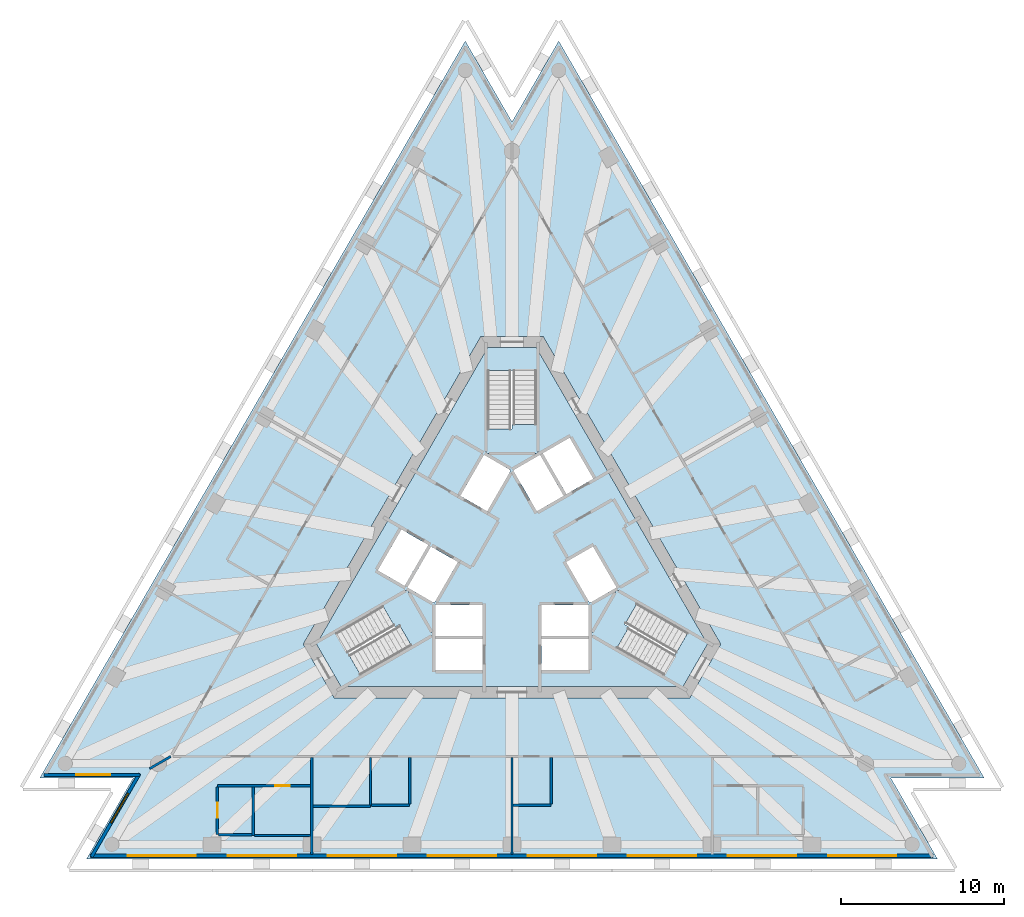
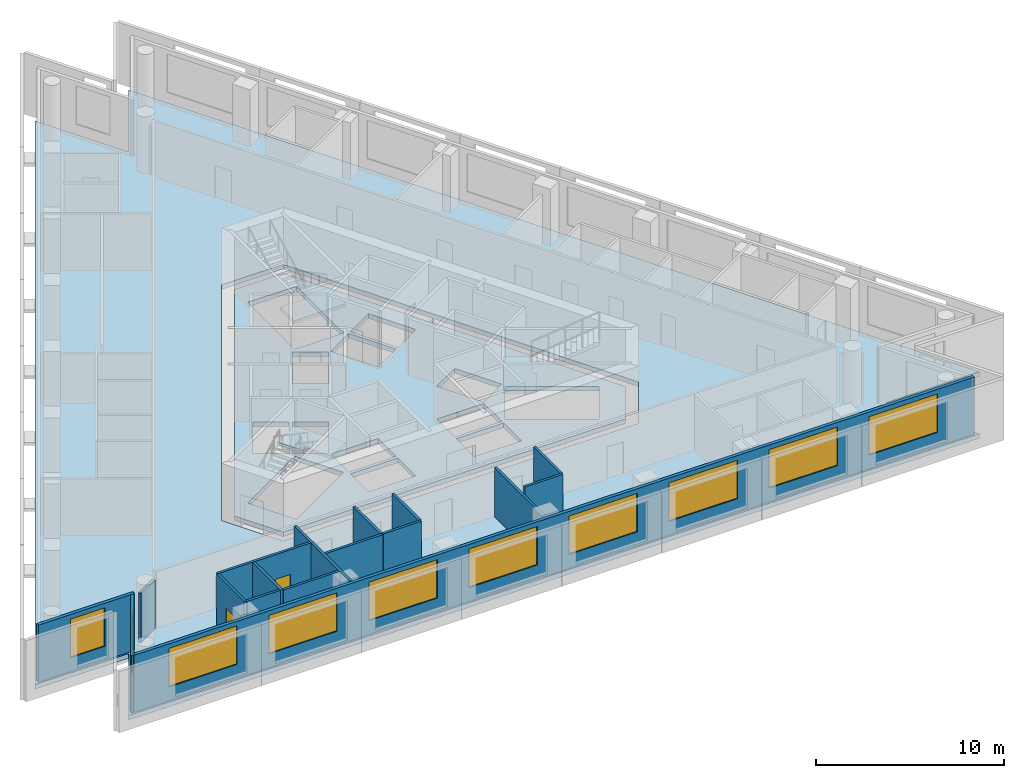
# One storey, part 2 of 9: 17 walls, 10 windows, 5 slabs, 2 doors, 12 openings, 3 elements without a shape of their own.
"""IFC4 building model written with IfcOpenShell, lengths in metres."""

import ifcopenshell
import ifcopenshell.guid

model = None  # the IFC model being written
_history = None  # IfcOwnerHistory: only IFC2X3 demands one
_inside = {}  # id of a spatial element -> (the spatial element, [elements in it])
_under = {}  # id of a project, library or spatial element -> (it, [spatial elements below it])
_declared = {}  # id of a project -> (the project, [libraries it declares])
_typed = {}  # id of a type object -> (the type object, [elements of that type])
_made_of = {}  # id of a material, layer set ... -> (it, [elements and type objects made of it])


def new_model(schema):
    """Start an empty IFC model of exactly this schema.

    Asked for "IFC4X3", IfcOpenShell would pick the latest addendum, in which some entities
    have other attributes; the version numbers below select the first issue.
    IFC2X3 requires an IfcOwnerHistory on every rooted entity: one is made here for all.
    """
    global model, _history
    if schema == "IFC4X3":
        model = ifcopenshell.file(schema_version=(4, 3, 0, 0))
    else:
        model = ifcopenshell.file(schema=schema)
    _inside.clear()
    _under.clear()
    _declared.clear()
    _typed.clear()
    _made_of.clear()
    _history = None
    if model.schema == "IFC2X3":
        org = make("IfcOrganization", Name="unknown")
        user = make(
            "IfcPersonAndOrganization",
            ThePerson=make("IfcPerson", FamilyName="unknown"),
            TheOrganization=org,
        )
        app = make(
            "IfcApplication",
            ApplicationDeveloper=org,
            Version="unknown",
            ApplicationFullName="unknown",
            ApplicationIdentifier="unknown",
        )
        _history = make(
            "IfcOwnerHistory",
            OwningUser=user,
            OwningApplication=app,
            ChangeAction="ADDED",
            CreationDate=0,
        )
    return model


def make(cls, **values):
    """One entity of the class cls with the attributes given. An attribute that is None is left unset."""
    return model.create_entity(
        cls, **{name: value for name, value in values.items() if value is not None}
    )


def rooted(cls, **values):
    """An entity with a GlobalId (a new one), such as an element, a storey or a relation."""
    return make(cls, GlobalId=ifcopenshell.guid.new(), OwnerHistory=_history, **values)


def si_unit(unit_type, name, prefix=None):
    """IfcSIUnit, for example si_unit("LENGTHUNIT", "METRE", prefix="MILLI")."""
    return make("IfcSIUnit", UnitType=unit_type, Prefix=prefix, Name=name)


def assignment(units):
    """IfcUnitAssignment: the units of a project."""
    return None if units is None else make("IfcUnitAssignment", Units=units)


def point(xyz):
    """IfcCartesianPoint."""
    return None if xyz is None else make("IfcCartesianPoint", Coordinates=xyz)


def direction(xyz):
    """IfcDirection."""
    return None if xyz is None else make("IfcDirection", DirectionRatios=xyz)


def frame(location, z_axis=None, x_axis=None):
    """IfcAxis2Placement3D, a coordinate frame: its origin and axes. An axis left out is left unset."""
    return make(
        "IfcAxis2Placement3D",
        Location=point(location),
        Axis=direction(z_axis),
        RefDirection=direction(x_axis),
    )


def frame_2d(location, x_axis=None):
    """IfcAxis2Placement2D, a coordinate frame in the plane: its origin and x axis."""
    return make(
        "IfcAxis2Placement2D", Location=point(location), RefDirection=direction(x_axis)
    )


def origin():
    """The frame at (0, 0, 0) with its axes left unset."""
    return frame((0.0, 0.0, 0.0))


def place(relative_to, where):
    """IfcLocalPlacement: puts the frame where relative to a parent placement (None: the world)."""
    return make(
        "IfcLocalPlacement", PlacementRelTo=relative_to, RelativePlacement=where
    )


def context(
    kind, dimensions, precision=None, world=None, true_north=None, identifier=None
):
    """IfcGeometricRepresentationContext, for example the 3D "Model" context."""
    return make(
        "IfcGeometricRepresentationContext",
        ContextIdentifier=identifier,
        ContextType=kind,
        CoordinateSpaceDimension=dimensions,
        Precision=precision,
        WorldCoordinateSystem=world,
        TrueNorth=true_north,
    )


def subcontext(parent, identifier, kind, view, scale=None):
    """IfcGeometricRepresentationSubContext, for example "Body" below "Model"."""
    return make(
        "IfcGeometricRepresentationSubContext",
        ContextIdentifier=identifier,
        ContextType=kind,
        ParentContext=parent,
        TargetScale=scale,
        TargetView=view,
    )


def project(units=None, contexts=None):
    """IfcProject with its units and contexts."""
    return rooted(
        "IfcProject",
        Name="project",
        RepresentationContexts=contexts,
        UnitsInContext=assignment(units),
    )


def spatial(cls, under=None, at=None, **own):
    """A site, building, storey or space (cls), placed at a placement, below another one or the project."""
    s = rooted(cls, ObjectPlacement=at, **own)
    if under is not None:
        _under.setdefault(under.id(), (under, []))[1].append(s)
    return s


def polyline(points):
    """IfcPolyline through the points."""
    return make("IfcPolyline", Points=[point(p) for p in points])


def profile(cls, at=None, kind="AREA", **sizes):
    """A parametric profile (cls). Its sizes go by their IFC names, for example OverallWidth=200.0."""
    return make(cls, ProfileType=kind, Position=at, **sizes)


def rectangle(**sizes):
    """IfcRectangleProfileDef."""
    return profile("IfcRectangleProfileDef", **sizes)


def outline(outer, holes=None, kind="AREA"):
    """IfcArbitraryClosedProfileDef: a profile drawn as a closed curve; with holes, ...WithVoids."""
    if holes is None:
        return make("IfcArbitraryClosedProfileDef", ProfileType=kind, OuterCurve=outer)
    return make(
        "IfcArbitraryProfileDefWithVoids",
        ProfileType=kind,
        OuterCurve=outer,
        InnerCurves=holes,
    )


def extrude(swept, where, along, depth):
    """IfcExtrudedAreaSolid: the profile swept, set in the frame where, extruded along a direction by depth."""
    return make(
        "IfcExtrudedAreaSolid",
        SweptArea=swept,
        Position=where,
        ExtrudedDirection=direction(along),
        Depth=depth,
    )


def shape(context_of_items, identifier, shape_type, items):
    """IfcShapeRepresentation: the items that make up one representation, for example the "Body"."""
    return make(
        "IfcShapeRepresentation",
        ContextOfItems=context_of_items,
        RepresentationIdentifier=identifier,
        RepresentationType=shape_type,
        Items=items,
    )


def material(Name=None, Category=None):
    """IfcMaterial."""
    return make("IfcMaterial", Name=Name, Category=Category)


def layer(
    of_material, thickness, ventilated=None, Name=None, Category=None, Priority=None
):
    """IfcMaterialLayer: one layer of a wall or slab, of a material (None: an air gap)."""
    return make(
        "IfcMaterialLayer",
        Material=of_material,
        LayerThickness=thickness,
        IsVentilated=ventilated,
        Name=Name,
        Category=Category,
        Priority=Priority,
    )


def layer_set(layers, Name=None):
    """IfcMaterialLayerSet."""
    return make("IfcMaterialLayerSet", MaterialLayers=layers, LayerSetName=Name)


def layer_usage(for_layer_set, set_direction, sense, offset, extent=None):
    """IfcMaterialLayerSetUsage: how a layer set lies in its element."""
    return make(
        "IfcMaterialLayerSetUsage",
        ForLayerSet=for_layer_set,
        LayerSetDirection=set_direction,
        DirectionSense=sense,
        OffsetFromReferenceLine=offset,
        ReferenceExtent=extent,
    )


def made_of(thing, what):
    """Note that an element or type object is made of a material, layer set ...; save() writes the relation."""
    if what is not None:
        _made_of.setdefault(what.id(), (what, []))[1].append(thing)
    return thing


def type_object(cls, material=None, **own):
    """A type object (cls), such as IfcWallType, which elements share."""
    return made_of(rooted(cls, **own), material)


def element(
    cls,
    number,
    at=None,
    inside=None,
    cuts=None,
    type_object=None,
    material=None,
    context=None,
    identifier="Body",
    shape_type=None,
    held_by="IfcProductDefinitionShape",
    body=None,
    shapes=None,
    **own,
):
    """One element of the class cls, such as IfcWall. Its Tag is "e" and its number.

    at: its placement. inside: the storey or other place that contains it. cuts: it is an
    opening in that element (IfcRelVoidsElement). A single representation is given by context,
    identifier, shape_type and body (its items); several are given by shapes. held_by: the class
    of the entity that holds the representations. save() writes the other relations.
    """
    e = rooted(cls, Tag="e%d" % number, ObjectPlacement=at, **own)
    if body is not None:
        shapes = [shape(context, identifier, shape_type, body)]
    if shapes is not None:
        e.Representation = make(held_by, Representations=shapes)
    if inside is not None:
        _inside.setdefault(inside.id(), (inside, []))[1].append(e)
    if cuts is not None:
        rooted(
            "IfcRelVoidsElement", RelatingBuildingElement=cuts, RelatedOpeningElement=e
        )
    if type_object is not None:
        _typed.setdefault(type_object.id(), (type_object, []))[1].append(e)
    return made_of(e, material)


def fill(opening, filler):
    """IfcRelFillsElement: the door or window that sits in an opening."""
    return rooted(
        "IfcRelFillsElement",
        RelatingOpeningElement=opening,
        RelatedBuildingElement=filler,
    )


def aggregate(whole, parts):
    """IfcRelAggregates: a whole, such as a stair, and the parts it consists of."""
    return rooted("IfcRelAggregates", RelatingObject=whole, RelatedObjects=parts)


def save(model, path):
    """Write the relations noted so far, then the file.

    IfcRelAggregates (storeys below a building ...), IfcRelContainedInSpatialStructure (elements
    in a storey), IfcRelDefinesByType, IfcRelAssociatesMaterial and IfcRelDeclares: one each for
    every whole, place, type object, material and project.
    """
    for whole, parts in _under.values():
        aggregate(whole, parts)
    for where, things in _inside.values():
        rooted(
            "IfcRelContainedInSpatialStructure",
            RelatedElements=things,
            RelatingStructure=where,
        )
    for kind, things in _typed.values():
        rooted("IfcRelDefinesByType", RelatedObjects=things, RelatingType=kind)
    for what, things in _made_of.values():
        rooted("IfcRelAssociatesMaterial", RelatedObjects=things, RelatingMaterial=what)
    for by, libraries in _declared.values():
        rooted("IfcRelDeclares", RelatingContext=by, RelatedDefinitions=libraries)
    model.write(path)


model = new_model("IFC4")

# Units and contexts
model_context = context("Model", 3, precision=1e-05, world=origin(), true_north=direction((0.0, 1.0)))
body_context = subcontext(model_context, "Body", "Model", "MODEL_VIEW")
ifc_project = project(units=[si_unit("LENGTHUNIT", "METRE"), si_unit("AREAUNIT", "SQUARE_METRE"), si_unit("VOLUMEUNIT", "CUBIC_METRE"), si_unit("PLANEANGLEUNIT", "RADIAN"), si_unit("MASSUNIT", "GRAM", prefix="KILO")], contexts=[model_context])

# Site, building, storey
site_placement = place(None, origin())
site = spatial("IfcSite", under=ifc_project, at=site_placement, CompositionType="ELEMENT")
building_placement = place(site_placement, origin())
building = spatial("IfcBuilding", under=site, at=building_placement, Name="Triada Interchange Tower", CompositionType="ELEMENT")
storey_placement = place(building_placement, frame((0.0, 0.0, 211.300048828125)))
storey = spatial("IfcBuildingStorey", under=building, at=storey_placement, Name="L49", CompositionType="ELEMENT", Elevation=211.300048828125)

# Slabs
ifc_material_1 = material(Name="Concrete C50/60", Category="concrete")
ifc_layer_1 = layer(ifc_material_1, 0.300048828125)
ifc_layer_set_1 = layer_set([ifc_layer_1], Name="Floor slab 300")
slab_type_1 = type_object("IfcSlabType", Name="Floor slab 300", PredefinedType="FLOOR", material=ifc_layer_set_1)
slab_1_placement = place(storey_placement, frame((0.0, 0.0, -0.300048828125)))
element("IfcSlab", 1, at=slab_1_placement, inside=storey, type_object=slab_type_1, Name="Floor slab L49", PredefinedType="FLOOR", context=body_context, shape_type="SweptSolid", body=[
    extrude(outline(polyline([(-2.868896484375, 31.8349609375), (-29.0048828125, -13.43310546875), (-23.26708984375, -13.43310546875), (-26.135986328125, -18.402099609375), (26.135986328125, -18.402099609375), (23.26708984375, -13.43310546875), (29.0048828125, -13.43310546875), (2.868896484375, 31.8349609375), (0.0, 26.866943359375), (-2.868896484375, 31.8349609375)]), holes=[polyline([(1.905029296875, 13.699951171875), (-1.905029296875, 13.699951171875), (-12.81689453125, -5.199951171875), (-10.912109375, -8.5), (10.912109375, -8.5), (12.81689453125, -5.199951171875), (1.905029296875, 13.699951171875)])]), origin(), (0.0, 0.0, 1.0), 0.300048828125),
])
slab_2_placement = place(storey_placement, frame((0.0, 0.0, -0.300048828125)))
element("IfcSlab", 2, at=slab_2_placement, inside=storey, type_object=slab_type_1, Name="Core floor slab L49 1", PredefinedType="FLOOR", context=body_context, shape_type="SweptSolid", body=[
    extrude(outline(polyline([(12.009033203125, -5.199951171875), (10.508056640625, -7.800048828125), (-10.508056640625, -7.800048828125), (-12.009033203125, -5.199951171875), (-1.5009765625, 13.0), (1.5009765625, 13.0), (12.009033203125, -5.199951171875)]), holes=[polyline([(9.2958984375, -7.09912109375), (10.7958984375, -4.5009765625), (6.466064453125, -2.0009765625), (4.966064453125, -4.59912109375), (9.2958984375, -7.09912109375)]), polyline([(4.77490234375, -2.669921875), (6.419921875, -1.719970703125), (4.969970703125, 0.791015625), (4.137939453125, 0.31103515625), (3.324951171875, -0.158935546875), (4.77490234375, -2.669921875)]), polyline([(1.89404296875, 6.52001953125), (3.343994140625, 4.009033203125), (4.989013671875, 4.958984375), (3.5390625, 7.469970703125), (1.89404296875, 6.52001953125)]), polyline([(1.800048828125, -4.89990234375), (1.800048828125, -6.4990234375), (1.800048828125, -6.800048828125), (4.699951171875, -6.800048828125), (4.699951171875, -4.89990234375), (1.800048828125, -4.89990234375)]), polyline([(4.699951171875, -2.800048828125), (1.800048828125, -2.800048828125), (1.800048828125, -4.699951171875), (4.699951171875, -4.699951171875), (4.699951171875, -2.800048828125)]), polyline([(0.074951171875, 5.469970703125), (1.52490234375, 2.958984375), (3.169921875, 3.908935546875), (1.719970703125, 6.419921875), (0.074951171875, 5.469970703125)]), polyline([(-1.5, 11.60009765625), (-1.5, 6.60009765625), (1.5, 6.60009765625), (1.5, 11.60009765625), (-1.5, 11.60009765625)]), polyline([(-1.52490234375, 2.958984375), (-0.074951171875, 5.469970703125), (-1.719970703125, 6.419921875), (-3.169921875, 3.908935546875), (-1.52490234375, 2.958984375)]), polyline([(-1.800048828125, -2.800048828125), (-4.699951171875, -2.800048828125), (-4.699951171875, -4.699951171875), (-1.800048828125, -4.699951171875), (-1.800048828125, -2.800048828125)]), polyline([(-4.699951171875, -6.800048828125), (-1.800048828125, -6.800048828125), (-1.800048828125, -6.4990234375), (-1.800048828125, -4.89990234375), (-4.699951171875, -4.89990234375), (-4.699951171875, -6.800048828125)]), polyline([(-3.367919921875, -0.134033203125), (-4.969970703125, 0.791015625), (-6.419921875, -1.719970703125), (-4.77490234375, -2.669921875), (-3.324951171875, -0.158935546875), (-3.367919921875, -0.134033203125)]), polyline([(-10.7958984375, -4.5009765625), (-9.2958984375, -7.09912109375), (-4.966064453125, -4.59912109375), (-6.466064453125, -2.0009765625), (-10.7958984375, -4.5009765625)]), polyline([(-6.593994140625, -1.6201171875), (-5.14404296875, 0.89111328125), (-6.7890625, 1.841064453125), (-8.239013671875, -0.669921875), (-6.593994140625, -1.6201171875)])]), origin(), (0.0, 0.0, 1.0), 0.300048828125),
])

# Stair, slab
ifc_material_2 = material(Name="Concrete C35/45", Category="concrete")
stair_type = type_object("IfcStairType", Name="HALF TURN STAIR 1400", PredefinedType="HALF_TURN_STAIR", material=ifc_material_2)
stair_1_placement = place(storey_placement, origin())
stair_1 = element("IfcStair", 3, at=stair_1_placement, inside=storey, type_object=stair_type, Name="Exit stair S47-1", PredefinedType="HALF_TURN_STAIR")
ifc_layer_2 = layer(ifc_material_2, 0.199951171875)
ifc_layer_set_2 = layer_set([ifc_layer_2], Name="STAIR LANDING 200")
slab_type_2 = type_object("IfcSlabType", Name="STAIR LANDING 200", PredefinedType="LANDING", material=ifc_layer_set_2)
slab_3_placement = place(storey_placement, frame((0.0, 0.0, 1.719970703125)))
slab_3 = element("IfcSlab", 4, at=slab_3_placement, type_object=slab_type_2, Name="S47-1 landing 1", PredefinedType="LANDING", context=body_context, shape_type="SweptSolid", body=[
    extrude(outline(polyline([(1.60009765625, 6.5), (1.60009765625, 8.300048828125), (0.0, 8.300048828125), (0.0, 8.0), (-1.60009765625, 8.0), (-1.60009765625, 6.5), (1.60009765625, 6.5)])), origin(), (0.0, 0.0, 1.0), 0.199951171875),
])
aggregate(stair_1, [slab_3])

stair_2_placement = place(storey_placement, origin())
stair_2 = element("IfcStair", 5, at=stair_2_placement, inside=storey, type_object=stair_type, Name="Exit stair S47-2", PredefinedType="HALF_TURN_STAIR")
slab_4_placement = place(storey_placement, frame((0.0, 0.0, 1.719970703125)))
slab_4 = element("IfcSlab", 6, at=slab_4_placement, type_object=slab_type_2, Name="S47-2 landing 1", PredefinedType="LANDING", context=body_context, shape_type="SweptSolid", body=[
    extrude(outline(polyline([(-6.428955078125, -1.864013671875), (-7.988037109375, -2.763916015625), (-7.18798828125, -4.14990234375), (-6.927978515625, -4.0), (-6.1279296875, -5.385986328125), (-4.8291015625, -4.635986328125), (-6.428955078125, -1.864013671875)])), origin(), (0.0, 0.0, 1.0), 0.199951171875),
])
aggregate(stair_2, [slab_4])

stair_3_placement = place(storey_placement, origin())
stair_3 = element("IfcStair", 7, at=stair_3_placement, inside=storey, type_object=stair_type, Name="Exit stair S47-3", PredefinedType="HALF_TURN_STAIR")
slab_5_placement = place(storey_placement, frame((0.0, 0.0, 1.719970703125)))
slab_5 = element("IfcSlab", 8, at=slab_5_placement, type_object=slab_type_2, Name="S47-3 landing 1", PredefinedType="LANDING", context=body_context, shape_type="SweptSolid", body=[
    extrude(outline(polyline([(4.8291015625, -4.635986328125), (6.387939453125, -5.535888671875), (7.18798828125, -4.14990234375), (6.927978515625, -4.0), (7.72802734375, -2.614013671875), (6.428955078125, -1.864013671875), (4.8291015625, -4.635986328125)])), origin(), (0.0, 0.0, 1.0), 0.199951171875),
])
aggregate(stair_3, [slab_5])

# Wall, opening, window
ifc_material_3 = material(Name="Cement board")
ifc_layer_3 = layer(ifc_material_3, 0.02001953125, Name="Cement board cladding")
ifc_material_4 = material(Name="Sheathing board")
ifc_layer_4 = layer(ifc_material_4, 0.014892578125, Name="Sheathing board")
ifc_material_5 = material(Name="Mineral wool")
ifc_layer_5 = layer(ifc_material_5, 0.14990234375, Name="Mineral wool between steel studs")
ifc_material_6 = material(Name="Gypsum board")
ifc_layer_6 = layer(ifc_material_6, 0.014892578125, Name="Plasterboard lining")
ifc_layer_set_3 = layer_set([ifc_layer_3, ifc_layer_4, ifc_layer_5, ifc_layer_6], Name="External wall 200")
ifc_layer_usage = layer_usage(ifc_layer_set_3, "AXIS2", "POSITIVE", -0.10009765625)
wall_type_1 = type_object("IfcWallType", Name="External wall 200", PredefinedType="ELEMENTEDWALL", material=ifc_layer_set_3)
wall_1_placement = place(storey_placement, frame((-28.7490234375, -13.23291015625, 0.0), z_axis=(0.0, 0.0, 1.0), x_axis=(1.0, 0.0, 0.0)))
wall_1 = element("IfcWall", 9, at=wall_1_placement, inside=storey, type_object=wall_type_1, material=ifc_layer_usage, Name="External wall L49 SW-1", PredefinedType="ELEMENTEDWALL", context=body_context, shape_type="SweptSolid", body=[
    extrude(rectangle(XDim=5.89794921875, YDim=0.199951171875, at=frame_2d((2.948974609375, 0.0))), origin(), (0.0, 0.0, 1.0), 3.699951171875),
])
opening_1_placement = place(wall_1_placement, frame((1.989990234375, 0.0, 0.89990234375)))
opening_1 = element("IfcOpeningElement", 10, at=opening_1_placement, cuts=wall_1, Name="Opening WC09", PredefinedType="OPENING", context=body_context, shape_type="SweptSolid", body=[
    extrude(rectangle(XDim=2.10009765625, YDim=2.5, at=frame_2d((1.050048828125, 1.25))), frame((0.0, 0.10986328125, 0.0), z_axis=(0.0, -1.0, 0.0), x_axis=(1.0, 0.0, 0.0)), (0.0, 0.0, 1.0), 0.219970703125),
])
ifc_material_7 = material(Name="Double glazed aluminium window", Category="aluminium")
window_type_1 = type_object("IfcWindowType", Name="Ribbon window C pocket", PartitioningType="SINGLE_PANEL", PredefinedType="WINDOW", material=ifc_material_7)
window_1_placement = place(opening_1_placement, origin())
window_1 = element("IfcWindow", 11, at=window_1_placement, inside=storey, type_object=window_type_1, Name="Window L49 SW-1 1", OverallHeight=2.5, OverallWidth=2.10009765625, PartitioningType="SINGLE_PANEL", PredefinedType="WINDOW", context=body_context, shape_type="SweptSolid", body=[
    extrude(rectangle(XDim=2.10009765625, YDim=2.5, at=frame_2d((1.050048828125, 1.25))), frame((0.0, 0.030029296875, 0.0), z_axis=(0.0, -1.0, 0.0), x_axis=(1.0, 0.0, 0.0)), (0.0, 0.0, 1.0), 0.06005859375),
])
fill(opening_1, window_1)

wall_2_placement = place(storey_placement, frame((-22.8759765625, -13.155029296875, 0.0), z_axis=(0.0, 0.0, 1.0), x_axis=(-0.499989993172, -0.866031181152, 0.0)))
wall_2 = element("IfcWall", 12, at=wall_2_placement, inside=storey, type_object=wall_type_1, material=ifc_layer_usage, Name="External wall L49 SW-2", PredefinedType="ELEMENTEDWALL", context=body_context, shape_type="SweptSolid", body=[
    extrude(rectangle(XDim=5.89794921875, YDim=0.199951171875, at=frame_2d((2.948974609375, 0.0))), origin(), (0.0, 0.0, 1.0), 3.699951171875),
])
opening_2_placement = place(wall_2_placement, frame((1.389892578125, 0.0, 0.89990234375)))
opening_2 = element("IfcOpeningElement", 13, at=opening_2_placement, cuts=wall_2, Name="Opening WC10", PredefinedType="OPENING", context=body_context, shape_type="SweptSolid", body=[
    extrude(rectangle(XDim=2.10009765625, YDim=2.5, at=frame_2d((1.050048828125, 1.25))), frame((0.0, 0.10986328125, 0.0), z_axis=(0.0, -1.0, 0.0), x_axis=(1.0, 0.0, 0.0)), (0.0, 0.0, 1.0), 0.219970703125),
])
window_2_placement = place(opening_2_placement, origin())
window_2 = element("IfcWindow", 14, at=window_2_placement, inside=storey, type_object=window_type_1, Name="Window L49 SW-2 1", OverallHeight=2.5, OverallWidth=2.10009765625, PartitioningType="SINGLE_PANEL", PredefinedType="WINDOW", context=body_context, shape_type="SweptSolid", body=[
    extrude(rectangle(XDim=2.10009765625, YDim=2.5, at=frame_2d((1.050048828125, 1.25))), frame((0.0, 0.030029296875, 0.0), z_axis=(0.0, -1.0, 0.0), x_axis=(1.0, 0.0, 0.0)), (0.0, 0.0, 1.0), 0.06005859375),
])
fill(opening_2, window_2)

# Wall, openings, windows
wall_3_placement = place(storey_placement, frame((-25.8798828125, -18.201904296875, 0.0), z_axis=(0.0, 0.0, 1.0), x_axis=(1.0, 0.0, 0.0)))
wall_3 = element("IfcWall", 15, at=wall_3_placement, inside=storey, type_object=wall_type_1, material=ifc_layer_usage, Name="External wall L49 S", PredefinedType="ELEMENTEDWALL", context=body_context, shape_type="SweptSolid", body=[
    extrude(rectangle(XDim=51.739990234375, YDim=0.199951171875, at=frame_2d((25.8701171875, 0.0))), origin(), (0.0, 0.0, 1.0), 3.699951171875),
])
opening_3_placement = place(wall_3_placement, frame((2.27490234375, 0.0, 0.89990234375)))
opening_3 = element("IfcOpeningElement", 16, at=opening_3_placement, cuts=wall_3, Name="Opening WC11", PredefinedType="OPENING", context=body_context, shape_type="SweptSolid", body=[
    extrude(rectangle(XDim=4.199951171875, YDim=2.5, at=frame_2d((2.10009765625, 1.25))), frame((0.0, 0.10986328125, 0.0), z_axis=(0.0, -1.0, 0.0), x_axis=(1.0, 0.0, 0.0)), (0.0, 0.0, 1.0), 0.219970703125),
])
opening_4_placement = place(wall_3_placement, frame((8.4189453125, 0.0, 0.89990234375)))
opening_4 = element("IfcOpeningElement", 17, at=opening_4_placement, cuts=wall_3, Name="Opening WC12", PredefinedType="OPENING", context=body_context, shape_type="SweptSolid", body=[
    extrude(rectangle(XDim=4.199951171875, YDim=2.5, at=frame_2d((2.10009765625, 1.25))), frame((0.0, 0.10986328125, 0.0), z_axis=(0.0, -1.0, 0.0), x_axis=(1.0, 0.0, 0.0)), (0.0, 0.0, 1.0), 0.219970703125),
])
opening_5_placement = place(wall_3_placement, frame((14.56396484375, 0.0, 0.89990234375)))
opening_5 = element("IfcOpeningElement", 18, at=opening_5_placement, cuts=wall_3, Name="Opening WC13", PredefinedType="OPENING", context=body_context, shape_type="SweptSolid", body=[
    extrude(rectangle(XDim=4.199951171875, YDim=2.5, at=frame_2d((2.10009765625, 1.25))), frame((0.0, 0.10986328125, 0.0), z_axis=(0.0, -1.0, 0.0), x_axis=(1.0, 0.0, 0.0)), (0.0, 0.0, 1.0), 0.219970703125),
])
opening_6_placement = place(wall_3_placement, frame((20.7080078125, 0.0, 0.89990234375)))
opening_6 = element("IfcOpeningElement", 19, at=opening_6_placement, cuts=wall_3, Name="Opening WC14", PredefinedType="OPENING", context=body_context, shape_type="SweptSolid", body=[
    extrude(rectangle(XDim=4.199951171875, YDim=2.5, at=frame_2d((2.10009765625, 1.25))), frame((0.0, 0.10986328125, 0.0), z_axis=(0.0, -1.0, 0.0), x_axis=(1.0, 0.0, 0.0)), (0.0, 0.0, 1.0), 0.219970703125),
])
opening_7_placement = place(wall_3_placement, frame((26.85205078125, 0.0, 0.89990234375)))
opening_7 = element("IfcOpeningElement", 20, at=opening_7_placement, cuts=wall_3, Name="Opening WC15", PredefinedType="OPENING", context=body_context, shape_type="SweptSolid", body=[
    extrude(rectangle(XDim=4.199951171875, YDim=2.5, at=frame_2d((2.10009765625, 1.25))), frame((0.0, 0.10986328125, 0.0), z_axis=(0.0, -1.0, 0.0), x_axis=(1.0, 0.0, 0.0)), (0.0, 0.0, 1.0), 0.219970703125),
])
opening_8_placement = place(wall_3_placement, frame((32.99609375, 0.0, 0.89990234375)))
opening_8 = element("IfcOpeningElement", 21, at=opening_8_placement, cuts=wall_3, Name="Opening WC16", PredefinedType="OPENING", context=body_context, shape_type="SweptSolid", body=[
    extrude(rectangle(XDim=4.199951171875, YDim=2.5, at=frame_2d((2.10009765625, 1.25))), frame((0.0, 0.10986328125, 0.0), z_axis=(0.0, -1.0, 0.0), x_axis=(1.0, 0.0, 0.0)), (0.0, 0.0, 1.0), 0.219970703125),
])
opening_9_placement = place(wall_3_placement, frame((39.14111328125, 0.0, 0.89990234375)))
opening_9 = element("IfcOpeningElement", 22, at=opening_9_placement, cuts=wall_3, Name="Opening WC17", PredefinedType="OPENING", context=body_context, shape_type="SweptSolid", body=[
    extrude(rectangle(XDim=4.199951171875, YDim=2.5, at=frame_2d((2.10009765625, 1.25))), frame((0.0, 0.10986328125, 0.0), z_axis=(0.0, -1.0, 0.0), x_axis=(1.0, 0.0, 0.0)), (0.0, 0.0, 1.0), 0.219970703125),
])
opening_10_placement = place(wall_3_placement, frame((45.284912109375, 0.0, 0.89990234375)))
opening_10 = element("IfcOpeningElement", 23, at=opening_10_placement, cuts=wall_3, Name="Opening WC18", PredefinedType="OPENING", context=body_context, shape_type="SweptSolid", body=[
    extrude(rectangle(XDim=4.199951171875, YDim=2.5, at=frame_2d((2.10009765625, 1.25))), frame((0.0, 0.10986328125, 0.0), z_axis=(0.0, -1.0, 0.0), x_axis=(1.0, 0.0, 0.0)), (0.0, 0.0, 1.0), 0.219970703125),
])
window_type_2 = type_object("IfcWindowType", Name="Ribbon window C face", PartitioningType="SINGLE_PANEL", PredefinedType="WINDOW", material=ifc_material_7)
window_3_placement = place(opening_3_placement, origin())
window_3 = element("IfcWindow", 24, at=window_3_placement, inside=storey, type_object=window_type_2, Name="Window L49 S 1", OverallHeight=2.5, OverallWidth=4.199951171875, PartitioningType="SINGLE_PANEL", PredefinedType="WINDOW", context=body_context, shape_type="SweptSolid", body=[
    extrude(rectangle(XDim=4.199951171875, YDim=2.5, at=frame_2d((2.10009765625, 1.25))), frame((0.0, 0.030029296875, 0.0), z_axis=(0.0, -1.0, 0.0), x_axis=(1.0, 0.0, 0.0)), (0.0, 0.0, 1.0), 0.06005859375),
])
fill(opening_3, window_3)
window_4_placement = place(opening_4_placement, origin())
window_4 = element("IfcWindow", 25, at=window_4_placement, inside=storey, type_object=window_type_2, Name="Window L49 S 2", OverallHeight=2.5, OverallWidth=4.199951171875, PartitioningType="SINGLE_PANEL", PredefinedType="WINDOW", context=body_context, shape_type="SweptSolid", body=[
    extrude(rectangle(XDim=4.199951171875, YDim=2.5, at=frame_2d((2.10009765625, 1.25))), frame((0.0, 0.030029296875, 0.0), z_axis=(0.0, -1.0, 0.0), x_axis=(1.0, 0.0, 0.0)), (0.0, 0.0, 1.0), 0.06005859375),
])
fill(opening_4, window_4)
window_5_placement = place(opening_5_placement, origin())
window_5 = element("IfcWindow", 26, at=window_5_placement, inside=storey, type_object=window_type_2, Name="Window L49 S 3", OverallHeight=2.5, OverallWidth=4.199951171875, PartitioningType="SINGLE_PANEL", PredefinedType="WINDOW", context=body_context, shape_type="SweptSolid", body=[
    extrude(rectangle(XDim=4.199951171875, YDim=2.5, at=frame_2d((2.10009765625, 1.25))), frame((0.0, 0.030029296875, 0.0), z_axis=(0.0, -1.0, 0.0), x_axis=(1.0, 0.0, 0.0)), (0.0, 0.0, 1.0), 0.06005859375),
])
fill(opening_5, window_5)
window_6_placement = place(opening_6_placement, origin())
window_6 = element("IfcWindow", 27, at=window_6_placement, inside=storey, type_object=window_type_2, Name="Window L49 S 4", OverallHeight=2.5, OverallWidth=4.199951171875, PartitioningType="SINGLE_PANEL", PredefinedType="WINDOW", context=body_context, shape_type="SweptSolid", body=[
    extrude(rectangle(XDim=4.199951171875, YDim=2.5, at=frame_2d((2.10009765625, 1.25))), frame((0.0, 0.030029296875, 0.0), z_axis=(0.0, -1.0, 0.0), x_axis=(1.0, 0.0, 0.0)), (0.0, 0.0, 1.0), 0.06005859375),
])
fill(opening_6, window_6)
window_7_placement = place(opening_7_placement, origin())
window_7 = element("IfcWindow", 28, at=window_7_placement, inside=storey, type_object=window_type_2, Name="Window L49 S 5", OverallHeight=2.5, OverallWidth=4.199951171875, PartitioningType="SINGLE_PANEL", PredefinedType="WINDOW", context=body_context, shape_type="SweptSolid", body=[
    extrude(rectangle(XDim=4.199951171875, YDim=2.5, at=frame_2d((2.10009765625, 1.25))), frame((0.0, 0.030029296875, 0.0), z_axis=(0.0, -1.0, 0.0), x_axis=(1.0, 0.0, 0.0)), (0.0, 0.0, 1.0), 0.06005859375),
])
fill(opening_7, window_7)
window_8_placement = place(opening_8_placement, origin())
window_8 = element("IfcWindow", 29, at=window_8_placement, inside=storey, type_object=window_type_2, Name="Window L49 S 6", OverallHeight=2.5, OverallWidth=4.199951171875, PartitioningType="SINGLE_PANEL", PredefinedType="WINDOW", context=body_context, shape_type="SweptSolid", body=[
    extrude(rectangle(XDim=4.199951171875, YDim=2.5, at=frame_2d((2.10009765625, 1.25))), frame((0.0, 0.030029296875, 0.0), z_axis=(0.0, -1.0, 0.0), x_axis=(1.0, 0.0, 0.0)), (0.0, 0.0, 1.0), 0.06005859375),
])
fill(opening_8, window_8)
window_9_placement = place(opening_9_placement, origin())
window_9 = element("IfcWindow", 30, at=window_9_placement, inside=storey, type_object=window_type_2, Name="Window L49 S 7", OverallHeight=2.5, OverallWidth=4.199951171875, PartitioningType="SINGLE_PANEL", PredefinedType="WINDOW", context=body_context, shape_type="SweptSolid", body=[
    extrude(rectangle(XDim=4.199951171875, YDim=2.5, at=frame_2d((2.10009765625, 1.25))), frame((0.0, 0.030029296875, 0.0), z_axis=(0.0, -1.0, 0.0), x_axis=(1.0, 0.0, 0.0)), (0.0, 0.0, 1.0), 0.06005859375),
])
fill(opening_9, window_9)
window_10_placement = place(opening_10_placement, origin())
window_10 = element("IfcWindow", 31, at=window_10_placement, inside=storey, type_object=window_type_2, Name="Window L49 S 8", OverallHeight=2.5, OverallWidth=4.199951171875, PartitioningType="SINGLE_PANEL", PredefinedType="WINDOW", context=body_context, shape_type="SweptSolid", body=[
    extrude(rectangle(XDim=4.199951171875, YDim=2.5, at=frame_2d((2.10009765625, 1.25))), frame((0.0, 0.030029296875, 0.0), z_axis=(0.0, -1.0, 0.0), x_axis=(1.0, 0.0, 0.0)), (0.0, 0.0, 1.0), 0.06005859375),
])
fill(opening_10, window_10)

# Walls
ifc_material_8 = material(Name="Gypsum board partition")
ifc_layer_7 = layer(ifc_material_8, 0.14990234375)
ifc_layer_set_4 = layer_set([ifc_layer_7], Name="PARTITION 150 EI 180")
wall_type_2 = type_object("IfcWallType", Name="PARTITION 150 EI 180", PredefinedType="PARTITIONING", material=ifc_layer_set_4)
wall_4_placement = place(storey_placement, frame((-22.2451171875, -12.843017578125, 0.0), z_axis=(0.0, 0.0, 1.0), x_axis=(0.865961433946, 0.500110782645, 0.0)))
element("IfcWall", 32, at=wall_4_placement, inside=storey, type_object=wall_type_2, Name="Wall L47 1", PredefinedType="PARTITIONING", context=body_context, shape_type="SweptSolid", body=[
    extrude(rectangle(XDim=1.487548828125, YDim=0.14990234375, at=frame_2d((0.74365234375, 0.0))), origin(), (0.0, 0.0, 1.0), 3.199951171875),
])
wall_5_placement = place(storey_placement, frame((-12.2880859375, -18.1220703125, 0.0), z_axis=(0.0, 0.0, 1.0), x_axis=(0.0, 1.0, 0.0)))
element("IfcWall", 33, at=wall_5_placement, inside=storey, type_object=wall_type_2, Name="Wall L47 12", PredefinedType="PARTITIONING", context=body_context, shape_type="SweptSolid", body=[
    extrude(rectangle(XDim=5.947021484375, YDim=0.14990234375, at=frame_2d((2.9736328125, 0.0))), origin(), (0.0, 0.0, 1.0), 3.699951171875),
])
wall_6_placement = place(storey_placement, frame((-12.212890625, -15.15087890625, 0.0), z_axis=(0.0, 0.0, 1.0), x_axis=(1.0, 0.0, 0.0)))
element("IfcWall", 34, at=wall_6_placement, inside=storey, type_object=wall_type_2, Name="Wall L47 13", PredefinedType="PARTITIONING", context=body_context, shape_type="SweptSolid", body=[
    extrude(rectangle(XDim=3.52490234375, YDim=0.14990234375, at=frame_2d((1.762451171875, 0.0))), origin(), (0.0, 0.0, 1.0), 3.699951171875),
])
wall_7_placement = place(storey_placement, frame((-8.68798828125, -15.075927734375, 0.0), z_axis=(0.0, 0.0, 1.0), x_axis=(0.0, 1.0, 0.0)))
element("IfcWall", 35, at=wall_7_placement, inside=storey, type_object=wall_type_2, Name="Wall L47 14", PredefinedType="PARTITIONING", context=body_context, shape_type="SweptSolid", body=[
    extrude(rectangle(XDim=2.90087890625, YDim=0.14990234375, at=frame_2d((1.450439453125, 0.0))), origin(), (0.0, 0.0, 1.0), 3.699951171875),
])
for number, where, z_axis, x_axis, name in (
    (36, (-8.613037109375, -15.10009765625, 0.0), (0.0, 0.0, 1.0), (1.0, 0.0, 0.0), "Wall L47 16"),
    (37, (0.074951171875, -15.10009765625, 0.0), (0.0, 0.0, 1.0), (1.0, 0.0, 0.0), "Wall L47 17"),
):
    element("IfcWall", number, at=place(storey_placement, frame(where, z_axis=z_axis, x_axis=x_axis)), inside=storey, type_object=wall_type_2, Name=name, PredefinedType="PARTITIONING", context=body_context, shape_type="SweptSolid", body=[
        extrude(rectangle(XDim=2.324951171875, YDim=0.14990234375, at=frame_2d((1.16259765625, 0.0))), origin(), (0.0, 0.0, 1.0), 3.699951171875),
    ])
wall_8_placement = place(storey_placement, frame((-6.2880859375, -15.02490234375, 0.0), z_axis=(0.0, 0.0, 1.0), x_axis=(0.0, 1.0, 0.0)))
element("IfcWall", 38, at=wall_8_placement, inside=storey, type_object=wall_type_2, Name="Wall L47 18", PredefinedType="PARTITIONING", context=body_context, shape_type="SweptSolid", body=[
    extrude(rectangle(XDim=2.849853515625, YDim=0.14990234375, at=frame_2d((1.4248046875, 0.0))), origin(), (0.0, 0.0, 1.0), 3.699951171875),
])
wall_9_placement = place(storey_placement, frame((0.0, -18.1220703125, 0.0), z_axis=(0.0, 0.0, 1.0), x_axis=(0.0, 1.0, 0.0)))
element("IfcWall", 39, at=wall_9_placement, inside=storey, type_object=wall_type_2, Name="Wall L47 19", PredefinedType="PARTITIONING", context=body_context, shape_type="SweptSolid", body=[
    extrude(rectangle(XDim=5.947021484375, YDim=0.14990234375, at=frame_2d((2.9736328125, 0.0))), origin(), (0.0, 0.0, 1.0), 3.199951171875),
])
wall_10_placement = place(storey_placement, frame((2.39990234375, -15.02490234375, 0.0), z_axis=(0.0, 0.0, 1.0), x_axis=(0.0, 1.0, 0.0)))
element("IfcWall", 40, at=wall_10_placement, inside=storey, type_object=wall_type_2, Name="Wall L47 21", PredefinedType="PARTITIONING", context=body_context, shape_type="SweptSolid", body=[
    extrude(rectangle(XDim=2.849853515625, YDim=0.14990234375, at=frame_2d((1.4248046875, 0.0))), origin(), (0.0, 0.0, 1.0), 3.699951171875),
])
ifc_layer_8 = layer(ifc_material_8, 0.14990234375)
ifc_layer_set_5 = layer_set([ifc_layer_8], Name="PARTITION 150 EI 90")
wall_type_3 = type_object("IfcWallType", Name="PARTITION 150 EI 90", PredefinedType="PARTITIONING", material=ifc_layer_set_5)
wall_11_placement = place(storey_placement, frame((-15.887939453125, -16.950927734375, 0.0), z_axis=(0.0, 0.0, 1.0), x_axis=(0.0, 1.0, 0.0)))
element("IfcWall", 41, at=wall_11_placement, inside=storey, type_object=wall_type_3, Name="Wall L47 31", PredefinedType="PARTITIONING", context=body_context, shape_type="SweptSolid", body=[
    extrude(rectangle(XDim=2.975830078125, YDim=0.14990234375, at=frame_2d((1.48779296875, 0.0))), origin(), (0.0, 0.0, 1.0), 3.699951171875),
])

# Wall, opening, door
wall_12_placement = place(storey_placement, frame((-18.087890625, -13.89990234375, 0.0), z_axis=(0.0, 0.0, 1.0), x_axis=(1.0, 0.0, 0.0)))
wall_12 = element("IfcWall", 42, at=wall_12_placement, inside=storey, type_object=wall_type_3, Name="Wall L47 32", PredefinedType="PARTITIONING", context=body_context, shape_type="SweptSolid", body=[
    extrude(rectangle(XDim=5.724853515625, YDim=0.14990234375, at=frame_2d((2.8623046875, 0.0))), origin(), (0.0, 0.0, 1.0), 3.699951171875),
])
opening_11_placement = place(wall_12_placement, frame((3.550048828125, 0.0, 0.0)))
opening_11 = element("IfcOpeningElement", 43, at=opening_11_placement, cuts=wall_12, Name="Opening D47-12", PredefinedType="OPENING", context=body_context, shape_type="SweptSolid", body=[
    extrude(rectangle(XDim=0.89990234375, YDim=2.10009765625, at=frame_2d((0.449951171875, 1.050048828125))), frame((0.0, 0.0849609375, 0.0), z_axis=(0.0, -1.0, 0.0), x_axis=(1.0, 0.0, 0.0)), (0.0, 0.0, 1.0), 0.169921875),
])
ifc_material_9 = material(Name="Steel S235 door leaf", Category="steel")
door_type_1 = type_object("IfcDoorType", Name="ROOM DOOR 900 EI2 45-C5S200", OperationType="NOTDEFINED", PredefinedType="DOOR", material=ifc_material_9)
door_1_placement = place(opening_11_placement, origin())
door_1 = element("IfcDoor", 44, at=door_1_placement, inside=storey, type_object=door_type_1, Name="Door D47-12 L49", OperationType="SINGLE_SWING_LEFT", OverallHeight=2.10009765625, OverallWidth=0.89990234375, PredefinedType="DOOR", context=body_context, shape_type="SweptSolid", body=[
    extrude(rectangle(XDim=0.89990234375, YDim=2.10009765625, at=frame_2d((0.449951171875, 1.050048828125))), frame((0.0, 0.02490234375, 0.0), z_axis=(0.0, -1.0, 0.0), x_axis=(1.0, 0.0, 0.0)), (0.0, 0.0, 1.0), 0.050048828125),
])
fill(opening_11, door_1)

wall_13_placement = place(storey_placement, frame((-18.087890625, -16.89990234375, 0.0), z_axis=(0.0, 0.0, 1.0), x_axis=(0.0, 1.0, 0.0)))
wall_13 = element("IfcWall", 45, at=wall_13_placement, inside=storey, type_object=wall_type_3, Name="Wall L47 34", PredefinedType="PARTITIONING", context=body_context, shape_type="SweptSolid", body=[
    extrude(rectangle(XDim=2.9248046875, YDim=0.14990234375, at=frame_2d((1.46240234375, 0.0))), origin(), (0.0, 0.0, 1.0), 3.699951171875),
])
opening_12_placement = place(wall_13_placement, frame((1.050048828125, 0.0, 0.0)))
opening_12 = element("IfcOpeningElement", 46, at=opening_12_placement, cuts=wall_13, Name="Opening D47-13", PredefinedType="OPENING", context=body_context, shape_type="SweptSolid", body=[
    extrude(rectangle(XDim=0.89990234375, YDim=2.10009765625, at=frame_2d((0.449951171875, 1.050048828125))), frame((0.0, 0.0849609375, 0.0), z_axis=(0.0, -1.0, 0.0), x_axis=(1.0, 0.0, 0.0)), (0.0, 0.0, 1.0), 0.169921875),
])
door_type_2 = type_object("IfcDoorType", Name="SERVICE DOOR 900 EI2 45-C5S200", OperationType="NOTDEFINED", PredefinedType="DOOR", material=ifc_material_9)
door_2_placement = place(opening_12_placement, origin())
door_2 = element("IfcDoor", 47, at=door_2_placement, inside=storey, type_object=door_type_2, Name="Door D47-13 L49", OperationType="SINGLE_SWING_RIGHT", OverallHeight=2.10009765625, OverallWidth=0.89990234375, PredefinedType="DOOR", context=body_context, shape_type="SweptSolid", body=[
    extrude(rectangle(XDim=0.89990234375, YDim=2.10009765625, at=frame_2d((0.449951171875, 1.050048828125))), frame((0.0, 0.02490234375, 0.0), z_axis=(0.0, -1.0, 0.0), x_axis=(1.0, 0.0, 0.0)), (0.0, 0.0, 1.0), 0.050048828125),
])
fill(opening_12, door_2)

# Walls
wall_14_placement = place(storey_placement, frame((-18.012939453125, -16.89990234375, 0.0), z_axis=(0.0, 0.0, 1.0), x_axis=(1.0, 0.0, 0.0)))
element("IfcWall", 48, at=wall_14_placement, inside=storey, type_object=wall_type_3, Name="Wall L47 35", PredefinedType="PARTITIONING", context=body_context, shape_type="SweptSolid", body=[
    extrude(rectangle(XDim=2.050048828125, YDim=0.14990234375, at=frame_2d((1.02490234375, 0.0))), origin(), (0.0, 0.0, 1.0), 3.699951171875),
])
wall_15_placement = place(storey_placement, frame((-15.81298828125, -16.950927734375, 0.0), z_axis=(0.0, 0.0, 1.0), x_axis=(1.0, 0.0, 0.0)))
element("IfcWall", 49, at=wall_15_placement, inside=storey, type_object=wall_type_3, Name="Wall L47 36", PredefinedType="PARTITIONING", context=body_context, shape_type="SweptSolid", body=[
    extrude(rectangle(XDim=3.449951171875, YDim=0.14990234375, at=frame_2d((1.72509765625, 0.0))), origin(), (0.0, 0.0, 1.0), 3.699951171875),
])

save(model, "model.ifc")
